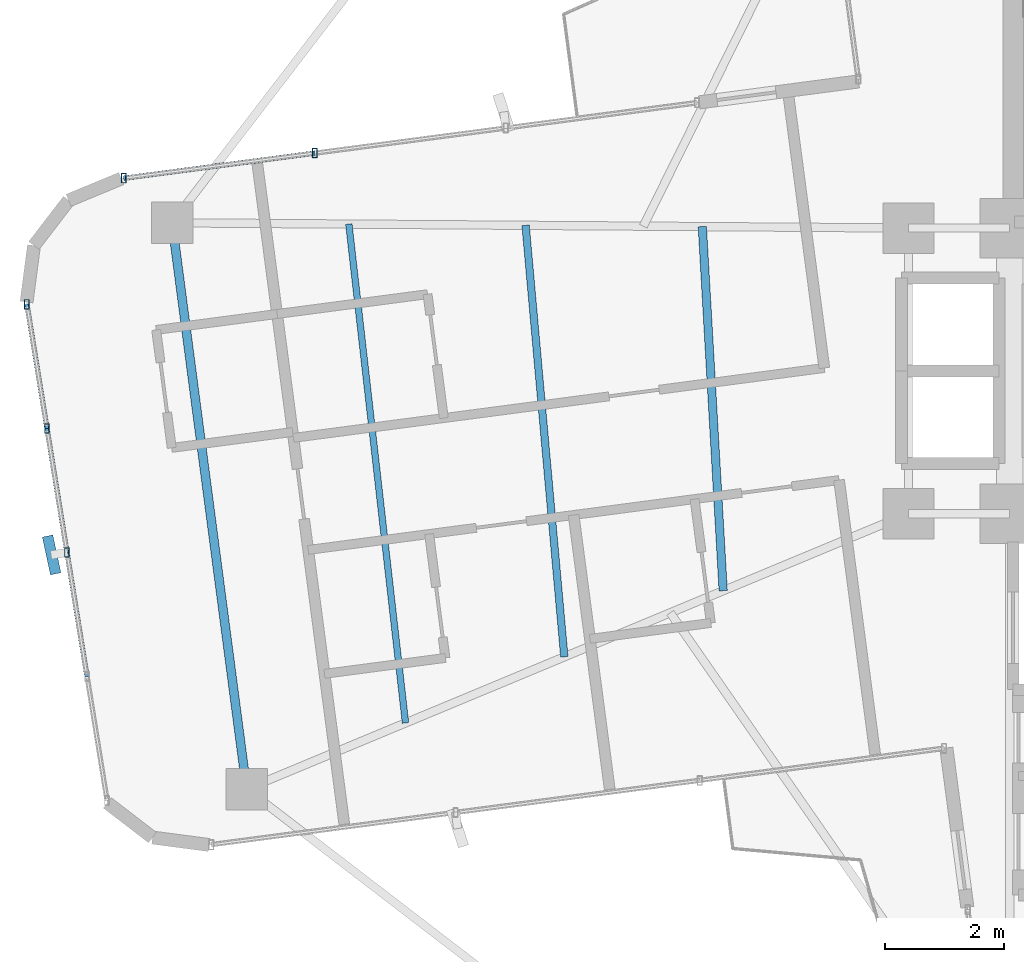
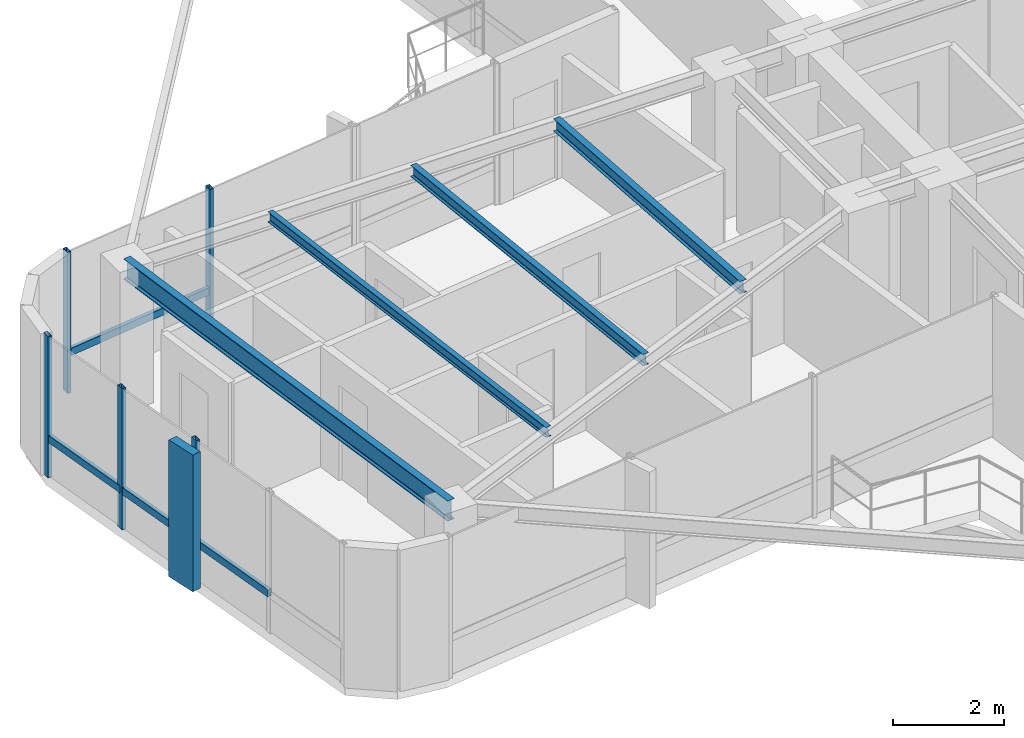
# One storey, part 6 of 21: 10 members, 4 beams, 2 elements without a shape of their own.
"""IFC4 building model written with IfcOpenShell, lengths in metres."""

from ifc_helpers import new_model, si_unit, direction, frame, origin, origin_2d, place, context, subcontext, project, spatial, rectangle, hollow_rectangle, i_section, extrude, source, transform, mapped, material, material_profile, profile_set, type_object, element, aggregate, save


model = new_model("IFC4")

# Units and contexts
model_context = context("Model", 3, precision=1e-05, world=origin(), true_north=direction((0.0, 1.0)))
body_context = subcontext(model_context, "Body", "Model", "MODEL_VIEW")
ifc_project = project(units=[si_unit("LENGTHUNIT", "METRE"), si_unit("AREAUNIT", "SQUARE_METRE"), si_unit("VOLUMEUNIT", "CUBIC_METRE"), si_unit("PLANEANGLEUNIT", "RADIAN"), si_unit("MASSUNIT", "GRAM", prefix="KILO")], contexts=[model_context])

# Site, building, storey
site_placement = place(None, origin())
site = spatial("IfcSite", under=ifc_project, at=site_placement, CompositionType="ELEMENT")
building_placement = place(site_placement, origin())
building = spatial("IfcBuilding", under=site, at=building_placement, Name="Sahyath Konkavel Grand Hotel", CompositionType="ELEMENT")
storey_placement = place(building_placement, frame((0.0, 0.0, 209.85009765625)))
storey = spatial("IfcBuildingStorey", under=building, at=storey_placement, Name="L58", CompositionType="ELEMENT", Elevation=209.85009765625)

# Beams
ifc_material_1 = material(Name="Steel E350", Category="steel")
ifc_material_profile_1 = material_profile(ifc_material_1, i_section(OverallWidth=0.14990234375, OverallDepth=0.449951171875, WebThickness=0.009521484375, FlangeThickness=0.017333984375, FilletRadius=0.014892578125, at=origin_2d()), Name="ISMB 450")
ifc_profile_set_1 = profile_set([ifc_material_profile_1], Name="Steel E350")
beam_type_1 = type_object("IfcBeamType", Name="BM-ISMB450", PredefinedType="BEAM", material=ifc_profile_set_1)
shared_shape_1 = source(origin(), body_context, "Body", "SweptSolid", [
    extrude(i_section(OverallWidth=0.14990234375, OverallDepth=0.449951171875, WebThickness=0.009521484375, FlangeThickness=0.017333984375, FilletRadius=0.014892578125, at=origin_2d()), origin(), (0.0, 0.0, 1.0), 9.599853515625),
])
beam_1_placement = place(storey_placement, frame((-17.877685546875, 2.48779296875, 2.885009765625), z_axis=(0.130539375757, -0.991443125639, 0.0), x_axis=(0.991443125639, 0.130539375757, 0.0)))
element("IfcBeam", 1, at=beam_1_placement, inside=storey, type_object=beam_type_1, Name="L58 Wing Tip Edge Beam W", PredefinedType="BEAM", context=body_context, shape_type="MappedRepresentation", body=[
    mapped(shared_shape_1, transform((0.0, 0.0, 0.0), scale=1.0)),
])
ifc_material_profile_2 = material_profile(ifc_material_1, i_section(OverallWidth=0.139892578125, OverallDepth=0.27490234375, WebThickness=0.00634765625, FlangeThickness=0.0087890625, FilletRadius=0.012939453125, at=origin_2d()), Name="ISLB 275")
ifc_profile_set_2 = profile_set([ifc_material_profile_2], Name="Steel E350")
beam_type_2 = type_object("IfcBeamType", Name="BM-ISLB275", PredefinedType="BEAM", material=ifc_profile_set_2)
shared_shape_2 = source(origin(), body_context, "Body", "SweptSolid", [
    extrude(i_section(OverallWidth=0.139892578125, OverallDepth=0.27490234375, WebThickness=0.00634765625, FlangeThickness=0.0087890625, FilletRadius=0.012939453125, at=origin_2d()), origin(), (0.0, 0.0, 1.0), 6.130859375),
])
beam_2_placement = place(storey_placement, frame((-8.9658203125, 2.424560546875, 2.972412109375), z_axis=(0.057223299361, -0.998361404508, 0.0), x_axis=(0.998361404508, 0.057223299361, 0.0)))
element("IfcBeam", 2, at=beam_2_placement, inside=storey, type_object=beam_type_2, Name="L58 Secondary Floor Beam W-1", PredefinedType="BEAM", context=body_context, shape_type="MappedRepresentation", body=[
    mapped(shared_shape_2, transform((0.0, 0.0, 0.0), scale=1.0)),
])
ifc_material_profile_3 = material_profile(ifc_material_1, i_section(OverallWidth=0.125, OverallDepth=0.25, WebThickness=0.0068359375, FlangeThickness=0.012451171875, FilletRadius=0.012939453125, at=origin_2d()), Name="ISMB 250")
ifc_profile_set_3 = profile_set([ifc_material_profile_3], Name="Steel E350")
beam_type_3 = type_object("IfcBeamType", Name="BM-ISMB250", PredefinedType="BEAM", material=ifc_profile_set_3)
shared_shape_3 = source(origin(), body_context, "Body", "SweptSolid", [
    extrude(i_section(OverallWidth=0.125, OverallDepth=0.25, WebThickness=0.0068359375, FlangeThickness=0.012451171875, FilletRadius=0.012939453125, at=origin_2d()), origin(), (0.0, 0.0, 1.0), 7.28271484375),
])
beam_3_placement = place(storey_placement, frame((-11.936279296875, 2.44580078125, 2.98486328125), z_axis=(0.08944149657, -0.995992077625, 0.0), x_axis=(0.995992077625, 0.08944149657, 0.0)))
element("IfcBeam", 3, at=beam_3_placement, inside=storey, type_object=beam_type_3, Name="L58 Secondary Floor Beam W-2", PredefinedType="BEAM", context=body_context, shape_type="MappedRepresentation", body=[
    mapped(shared_shape_3, transform((0.0, 0.0, 0.0), scale=1.0)),
])
ifc_material_profile_4 = material_profile(ifc_material_1, i_section(OverallWidth=0.110107421875, OverallDepth=0.22509765625, WebThickness=0.006591796875, FlangeThickness=0.01171875, FilletRadius=0.011962890625, at=origin_2d()), Name="ISMB 225")
ifc_profile_set_4 = profile_set([ifc_material_profile_4], Name="Steel E350")
beam_type_4 = type_object("IfcBeamType", Name="BM-ISMB225", PredefinedType="BEAM", material=ifc_profile_set_4)
shared_shape_4 = source(origin(), body_context, "Body", "SweptSolid", [
    extrude(i_section(OverallWidth=0.110107421875, OverallDepth=0.22509765625, WebThickness=0.006591796875, FlangeThickness=0.01171875, FilletRadius=0.011962890625, at=origin_2d()), origin(), (0.0, 0.0, 1.0), 8.439697265625),
])
beam_4_placement = place(storey_placement, frame((-14.906982421875, 2.466796875, 2.997314453125), z_axis=(0.112847377236, -0.993612333584, 0.0), x_axis=(0.993612333584, 0.112847377236, 0.0)))
element("IfcBeam", 4, at=beam_4_placement, inside=storey, type_object=beam_type_4, Name="L58 Secondary Floor Beam W-3", PredefinedType="BEAM", context=body_context, shape_type="MappedRepresentation", body=[
    mapped(shared_shape_4, transform((0.0, 0.0, 0.0), scale=1.0)),
])

# Curtain wall, members
ifc_material_2 = material(Name="Anodised Bronze Aluminium & Low-E Glazing", Category="aluminium")
curtain_wall_type = type_object("IfcCurtainWallType", Name="CW-ZONE4", PredefinedType="NOTDEFINED", material=ifc_material_2)
curtain_wall_1_placement = place(storey_placement, origin())
curtain_wall_1 = element("IfcCurtainWall", 5, at=curtain_wall_1_placement, inside=storey, type_object=curtain_wall_type, Name="L58 Unitised Curtain Wall F16", PredefinedType="NOTDEFINED")
ifc_material_3 = material(Name="Anodised Bronze Aluminium", Category="aluminium")
ifc_material_profile_5 = material_profile(ifc_material_3, hollow_rectangle(XDim=0.080078125, YDim=0.159912109375, WallThickness=0.006103515625, at=origin_2d()), Name="RHS 160x80x6")
ifc_profile_set_5 = profile_set([ifc_material_profile_5], Name="Anodised Bronze Aluminium")
member_type_1 = type_object("IfcMemberType", Name="CW-MUL-160", PredefinedType="MULLION", material=ifc_profile_set_5)
shared_shape_5 = source(origin(), body_context, "Body", "SweptSolid", [
    extrude(hollow_rectangle(XDim=0.080078125, YDim=0.159912109375, WallThickness=0.006103515625, at=origin_2d()), origin(), (0.0, 0.0, 1.0), 3.10986328125),
])
member_1_placement = place(storey_placement, frame((-15.480224609375, 3.66064453125, 0.0), z_axis=(0.0, 0.0, 1.0), x_axis=(1.0, 0.0, 0.0)))
member_1 = element("IfcMember", 6, at=member_1_placement, type_object=member_type_1, Name="L58 Curtain Wall Mullion F16-2", PredefinedType="MULLION", context=body_context, shape_type="MappedRepresentation", body=[
    mapped(shared_shape_5, transform((0.0, 0.0, 0.0), scale=1.0)),
])
member_2_placement = place(storey_placement, frame((-18.6923828125, 3.23779296875, 0.0), z_axis=(0.0, 0.0, 1.0), x_axis=(1.0, 0.0, 0.0)))
member_2 = element("IfcMember", 7, at=member_2_placement, type_object=member_type_1, Name="L58 Curtain Wall Mullion F16-3", PredefinedType="MULLION", context=body_context, shape_type="MappedRepresentation", body=[
    mapped(shared_shape_5, transform((0.0, 0.0, 0.0), scale=1.0)),
])

curtain_wall_2_placement = place(storey_placement, origin())
curtain_wall_2 = element("IfcCurtainWall", 8, at=curtain_wall_2_placement, inside=storey, type_object=curtain_wall_type, Name="L58 Unitised Curtain Wall F20", PredefinedType="NOTDEFINED")
member_3_placement = place(storey_placement, frame((-20.318603515625, 1.117431640625, 0.0), z_axis=(0.0, 0.0, 1.0), x_axis=(1.0, 0.0, 0.0)))
member_3 = element("IfcMember", 9, at=member_3_placement, type_object=member_type_1, Name="L58 Curtain Wall Mullion F20-0", PredefinedType="MULLION", context=body_context, shape_type="MappedRepresentation", body=[
    mapped(shared_shape_5, transform((0.0, 0.0, 0.0), scale=1.0)),
])
member_4_placement = place(storey_placement, frame((-19.982177734375, -0.9677734375, 0.0), z_axis=(0.0, 0.0, 1.0), x_axis=(1.0, 0.0, 0.0)))
member_4 = element("IfcMember", 10, at=member_4_placement, type_object=member_type_1, Name="L58 Curtain Wall Mullion F20-1", PredefinedType="MULLION", context=body_context, shape_type="MappedRepresentation", body=[
    mapped(shared_shape_5, transform((0.0, 0.0, 0.0), scale=1.0)),
])
member_5_placement = place(storey_placement, frame((-19.6455078125, -3.052734375, 0.0), z_axis=(0.0, 0.0, 1.0), x_axis=(1.0, 0.0, 0.0)))
member_5 = element("IfcMember", 11, at=member_5_placement, type_object=member_type_1, Name="L58 Curtain Wall Mullion F20-2", PredefinedType="MULLION", context=body_context, shape_type="MappedRepresentation", body=[
    mapped(shared_shape_5, transform((0.0, 0.0, 0.0), scale=1.0)),
])
ifc_material_4 = material(Name="Warm Buff Sandstone Cladding on Concrete C50/60", Category="masonry")
ifc_material_profile_6 = material_profile(ifc_material_4, rectangle(XDim=0.179931640625, YDim=0.64990234375, at=origin_2d()), Name="FIN 180x650")
ifc_profile_set_6 = profile_set([ifc_material_profile_6], Name="Warm Buff Sandstone Cladding on Concrete C50/60")
member_type_2 = type_object("IfcMemberType", Name="FIN-SANDSTONE-650", PredefinedType="MULLION", material=ifc_profile_set_6)
shared_shape_6 = source(origin(), body_context, "Body", "SweptSolid", [
    extrude(rectangle(XDim=0.179931640625, YDim=0.64990234375, at=origin_2d()), origin(), (0.0, 0.0, 1.0), 3.010009765625),
])
member_6_placement = place(storey_placement, frame((-19.90234375, -3.09423828125, 0.0498046875), z_axis=(0.0, 0.0, 1.0), x_axis=(0.977746636525, 0.209789215079, 0.0)))
member_6 = element("IfcMember", 12, at=member_6_placement, type_object=member_type_2, Name="L58 Sandstone Vertical Solar Fin FIN F20-2", PredefinedType="MULLION", context=body_context, shape_type="MappedRepresentation", body=[
    mapped(shared_shape_6, transform((0.0, 0.0, 0.0), scale=1.0)),
])

# Member
ifc_material_profile_7 = material_profile(ifc_material_3, hollow_rectangle(XDim=0.080078125, YDim=0.159912109375, WallThickness=0.006103515625, at=origin_2d()), Name="RHS 160x80x6")
ifc_profile_set_7 = profile_set([ifc_material_profile_7], Name="Anodised Bronze Aluminium")
member_type_3 = type_object("IfcMemberType", Name="CW-TRN-160", PredefinedType="USERDEFINED", material=ifc_profile_set_7)
shared_shape_7 = source(origin(), body_context, "Body", "SweptSolid", [
    extrude(hollow_rectangle(XDim=0.080078125, YDim=0.159912109375, WallThickness=0.006103515625, at=origin_2d()), origin(), (0.0, 0.0, 1.0), 3.239990234375),
])
member_7_placement = place(storey_placement, frame((-15.480224609375, 3.66064453125, 0.849853515625), z_axis=(-0.991446342692, -0.130514939997, 0.0), x_axis=(0.130514939997, -0.991446342692, 0.0)))
member_7 = element("IfcMember", 13, at=member_7_placement, type_object=member_type_3, Name="L58 Curtain Wall Transom F16-2-spandrel", ObjectType="TRANSOM", PredefinedType="USERDEFINED", context=body_context, shape_type="MappedRepresentation", body=[
    mapped(shared_shape_7, transform((0.0, 0.0, 0.0), scale=1.0)),
])

aggregate(curtain_wall_1, [member_1, member_2, member_7])

shared_shape_8 = source(origin(), body_context, "Body", "SweptSolid", [
    extrude(hollow_rectangle(XDim=0.080078125, YDim=0.159912109375, WallThickness=0.006103515625, at=origin_2d()), origin(), (0.0, 0.0, 1.0), 2.112060546875),
])
member_8_placement = place(storey_placement, frame((-20.318603515625, 1.117431640625, 0.849853515625), z_axis=(0.159279681841, -0.987233499712, 0.0), x_axis=(0.987233499712, 0.159279681841, 0.0)))
member_8 = element("IfcMember", 14, at=member_8_placement, type_object=member_type_3, Name="L58 Curtain Wall Transom F20-0-spandrel", ObjectType="TRANSOM", PredefinedType="USERDEFINED", context=body_context, shape_type="MappedRepresentation", body=[
    mapped(shared_shape_8, transform((0.0, 0.0, 0.0), scale=1.0)),
])

member_9_placement = place(storey_placement, frame((-19.982177734375, -0.9677734375, 0.849853515625), z_axis=(0.159410523793, -0.98721238085, 0.0), x_axis=(0.98721238085, 0.159410523793, 0.0)))
member_9 = element("IfcMember", 15, at=member_9_placement, type_object=member_type_3, Name="L58 Curtain Wall Transom F20-1-spandrel", ObjectType="TRANSOM", PredefinedType="USERDEFINED", context=body_context, shape_type="MappedRepresentation", body=[
    mapped(shared_shape_8, transform((0.0, 0.0, 0.0), scale=1.0)),
])

member_10_placement = place(storey_placement, frame((-19.6455078125, -3.052734375, 0.849853515625), z_axis=(0.159279681841, -0.987233499712, 0.0), x_axis=(0.987233499712, 0.159279681841, 0.0)))
member_10 = element("IfcMember", 16, at=member_10_placement, type_object=member_type_3, Name="L58 Curtain Wall Transom F20-2-spandrel", ObjectType="TRANSOM", PredefinedType="USERDEFINED", context=body_context, shape_type="MappedRepresentation", body=[
    mapped(shared_shape_8, transform((0.0, 0.0, 0.0), scale=1.0)),
])

aggregate(curtain_wall_2, [member_3, member_4, member_5, member_6, member_8, member_9, member_10])

save(model, "model.ifc")
